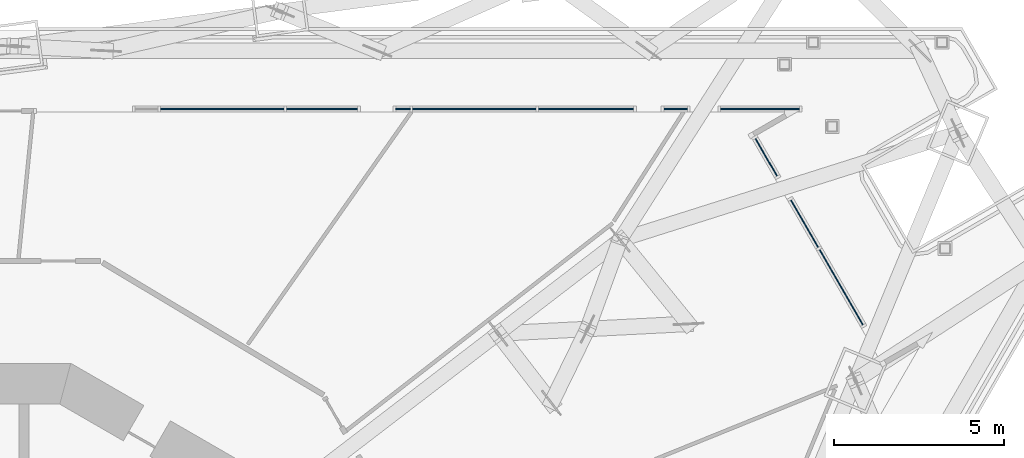
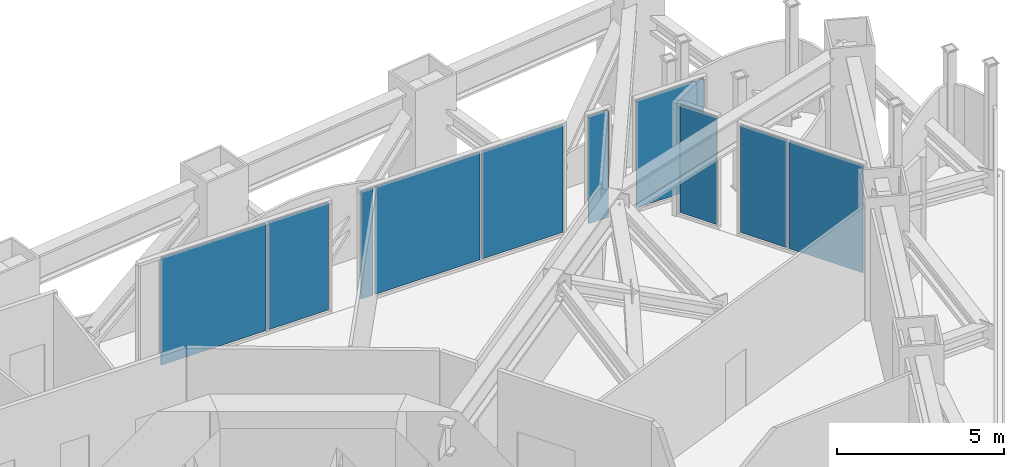
# One storey, part 12 of 28: 10 plates, 6 elements without a shape of their own.
"""IFC4 building model written with IfcOpenShell, lengths in metres."""

import ifcopenshell
import ifcopenshell.guid

model = None  # the IFC model being written
_history = None  # IfcOwnerHistory: only IFC2X3 demands one
_inside = {}  # id of a spatial element -> (the spatial element, [elements in it])
_under = {}  # id of a project, library or spatial element -> (it, [spatial elements below it])
_declared = {}  # id of a project -> (the project, [libraries it declares])
_typed = {}  # id of a type object -> (the type object, [elements of that type])
_made_of = {}  # id of a material, layer set ... -> (it, [elements and type objects made of it])


def new_model(schema):
    """Start an empty IFC model of exactly this schema.

    Asked for "IFC4X3", IfcOpenShell would pick the latest addendum, in which some entities
    have other attributes; the version numbers below select the first issue.
    IFC2X3 requires an IfcOwnerHistory on every rooted entity: one is made here for all.
    """
    global model, _history
    if schema == "IFC4X3":
        model = ifcopenshell.file(schema_version=(4, 3, 0, 0))
    else:
        model = ifcopenshell.file(schema=schema)
    _inside.clear()
    _under.clear()
    _declared.clear()
    _typed.clear()
    _made_of.clear()
    _history = None
    if model.schema == "IFC2X3":
        org = make("IfcOrganization", Name="unknown")
        user = make(
            "IfcPersonAndOrganization",
            ThePerson=make("IfcPerson", FamilyName="unknown"),
            TheOrganization=org,
        )
        app = make(
            "IfcApplication",
            ApplicationDeveloper=org,
            Version="unknown",
            ApplicationFullName="unknown",
            ApplicationIdentifier="unknown",
        )
        _history = make(
            "IfcOwnerHistory",
            OwningUser=user,
            OwningApplication=app,
            ChangeAction="ADDED",
            CreationDate=0,
        )
    return model


def make(cls, **values):
    """One entity of the class cls with the attributes given. An attribute that is None is left unset."""
    return model.create_entity(
        cls, **{name: value for name, value in values.items() if value is not None}
    )


def rooted(cls, **values):
    """An entity with a GlobalId (a new one), such as an element, a storey or a relation."""
    return make(cls, GlobalId=ifcopenshell.guid.new(), OwnerHistory=_history, **values)


def si_unit(unit_type, name, prefix=None):
    """IfcSIUnit, for example si_unit("LENGTHUNIT", "METRE", prefix="MILLI")."""
    return make("IfcSIUnit", UnitType=unit_type, Prefix=prefix, Name=name)


def assignment(units):
    """IfcUnitAssignment: the units of a project."""
    return None if units is None else make("IfcUnitAssignment", Units=units)


def point(xyz):
    """IfcCartesianPoint."""
    return None if xyz is None else make("IfcCartesianPoint", Coordinates=xyz)


def direction(xyz):
    """IfcDirection."""
    return None if xyz is None else make("IfcDirection", DirectionRatios=xyz)


def frame(location, z_axis=None, x_axis=None):
    """IfcAxis2Placement3D, a coordinate frame: its origin and axes. An axis left out is left unset."""
    return make(
        "IfcAxis2Placement3D",
        Location=point(location),
        Axis=direction(z_axis),
        RefDirection=direction(x_axis),
    )


def frame_2d(location, x_axis=None):
    """IfcAxis2Placement2D, a coordinate frame in the plane: its origin and x axis."""
    return make(
        "IfcAxis2Placement2D", Location=point(location), RefDirection=direction(x_axis)
    )


def origin():
    """The frame at (0, 0, 0) with its axes left unset."""
    return frame((0.0, 0.0, 0.0))


def origin_2d():
    """The frame at (0, 0) in the plane with its x axis left unset."""
    return frame_2d((0.0, 0.0))


def place(relative_to, where):
    """IfcLocalPlacement: puts the frame where relative to a parent placement (None: the world)."""
    return make(
        "IfcLocalPlacement", PlacementRelTo=relative_to, RelativePlacement=where
    )


def context(
    kind, dimensions, precision=None, world=None, true_north=None, identifier=None
):
    """IfcGeometricRepresentationContext, for example the 3D "Model" context."""
    return make(
        "IfcGeometricRepresentationContext",
        ContextIdentifier=identifier,
        ContextType=kind,
        CoordinateSpaceDimension=dimensions,
        Precision=precision,
        WorldCoordinateSystem=world,
        TrueNorth=true_north,
    )


def subcontext(parent, identifier, kind, view, scale=None):
    """IfcGeometricRepresentationSubContext, for example "Body" below "Model"."""
    return make(
        "IfcGeometricRepresentationSubContext",
        ContextIdentifier=identifier,
        ContextType=kind,
        ParentContext=parent,
        TargetScale=scale,
        TargetView=view,
    )


def project(units=None, contexts=None):
    """IfcProject with its units and contexts."""
    return rooted(
        "IfcProject",
        Name="project",
        RepresentationContexts=contexts,
        UnitsInContext=assignment(units),
    )


def spatial(cls, under=None, at=None, **own):
    """A site, building, storey or space (cls), placed at a placement, below another one or the project."""
    s = rooted(cls, ObjectPlacement=at, **own)
    if under is not None:
        _under.setdefault(under.id(), (under, []))[1].append(s)
    return s


def profile(cls, at=None, kind="AREA", **sizes):
    """A parametric profile (cls). Its sizes go by their IFC names, for example OverallWidth=200.0."""
    return make(cls, ProfileType=kind, Position=at, **sizes)


def rectangle(**sizes):
    """IfcRectangleProfileDef."""
    return profile("IfcRectangleProfileDef", **sizes)


def extrude(swept, where, along, depth):
    """IfcExtrudedAreaSolid: the profile swept, set in the frame where, extruded along a direction by depth."""
    return make(
        "IfcExtrudedAreaSolid",
        SweptArea=swept,
        Position=where,
        ExtrudedDirection=direction(along),
        Depth=depth,
    )


def shape(context_of_items, identifier, shape_type, items):
    """IfcShapeRepresentation: the items that make up one representation, for example the "Body"."""
    return make(
        "IfcShapeRepresentation",
        ContextOfItems=context_of_items,
        RepresentationIdentifier=identifier,
        RepresentationType=shape_type,
        Items=items,
    )


def material(Name=None, Category=None):
    """IfcMaterial."""
    return make("IfcMaterial", Name=Name, Category=Category)


def layer(
    of_material, thickness, ventilated=None, Name=None, Category=None, Priority=None
):
    """IfcMaterialLayer: one layer of a wall or slab, of a material (None: an air gap)."""
    return make(
        "IfcMaterialLayer",
        Material=of_material,
        LayerThickness=thickness,
        IsVentilated=ventilated,
        Name=Name,
        Category=Category,
        Priority=Priority,
    )


def layer_set(layers, Name=None):
    """IfcMaterialLayerSet."""
    return make("IfcMaterialLayerSet", MaterialLayers=layers, LayerSetName=Name)


def made_of(thing, what):
    """Note that an element or type object is made of a material, layer set ...; save() writes the relation."""
    if what is not None:
        _made_of.setdefault(what.id(), (what, []))[1].append(thing)
    return thing


def type_object(cls, material=None, **own):
    """A type object (cls), such as IfcWallType, which elements share."""
    return made_of(rooted(cls, **own), material)


def element(
    cls,
    number,
    at=None,
    inside=None,
    cuts=None,
    type_object=None,
    material=None,
    context=None,
    identifier="Body",
    shape_type=None,
    held_by="IfcProductDefinitionShape",
    body=None,
    shapes=None,
    **own,
):
    """One element of the class cls, such as IfcWall. Its Tag is "e" and its number.

    at: its placement. inside: the storey or other place that contains it. cuts: it is an
    opening in that element (IfcRelVoidsElement). A single representation is given by context,
    identifier, shape_type and body (its items); several are given by shapes. held_by: the class
    of the entity that holds the representations. save() writes the other relations.
    """
    e = rooted(cls, Tag="e%d" % number, ObjectPlacement=at, **own)
    if body is not None:
        shapes = [shape(context, identifier, shape_type, body)]
    if shapes is not None:
        e.Representation = make(held_by, Representations=shapes)
    if inside is not None:
        _inside.setdefault(inside.id(), (inside, []))[1].append(e)
    if cuts is not None:
        rooted(
            "IfcRelVoidsElement", RelatingBuildingElement=cuts, RelatedOpeningElement=e
        )
    if type_object is not None:
        _typed.setdefault(type_object.id(), (type_object, []))[1].append(e)
    return made_of(e, material)


def aggregate(whole, parts):
    """IfcRelAggregates: a whole, such as a stair, and the parts it consists of."""
    return rooted("IfcRelAggregates", RelatingObject=whole, RelatedObjects=parts)


def save(model, path):
    """Write the relations noted so far, then the file.

    IfcRelAggregates (storeys below a building ...), IfcRelContainedInSpatialStructure (elements
    in a storey), IfcRelDefinesByType, IfcRelAssociatesMaterial and IfcRelDeclares: one each for
    every whole, place, type object, material and project.
    """
    for whole, parts in _under.values():
        aggregate(whole, parts)
    for where, things in _inside.values():
        rooted(
            "IfcRelContainedInSpatialStructure",
            RelatedElements=things,
            RelatingStructure=where,
        )
    for kind, things in _typed.values():
        rooted("IfcRelDefinesByType", RelatedObjects=things, RelatingType=kind)
    for what, things in _made_of.values():
        rooted("IfcRelAssociatesMaterial", RelatedObjects=things, RelatingMaterial=what)
    for by, libraries in _declared.values():
        rooted("IfcRelDeclares", RelatingContext=by, RelatedDefinitions=libraries)
    model.write(path)


model = new_model("IFC4")

# Units and contexts
model_context = context("Model", 3, precision=1e-05, world=origin(), true_north=direction((0.0, 1.0)))
body_context = subcontext(model_context, "Body", "Model", "MODEL_VIEW")
ifc_project = project(units=[si_unit("LENGTHUNIT", "METRE"), si_unit("AREAUNIT", "SQUARE_METRE"), si_unit("VOLUMEUNIT", "CUBIC_METRE"), si_unit("PLANEANGLEUNIT", "RADIAN"), si_unit("MASSUNIT", "GRAM", prefix="KILO")], contexts=[model_context])

# Site, building, storey
site_placement = place(None, origin())
site = spatial("IfcSite", under=ifc_project, at=site_placement, CompositionType="ELEMENT")
building_placement = place(site_placement, origin())
building = spatial("IfcBuilding", under=site, at=building_placement, Name="Trine Commons Tower", CompositionType="ELEMENT")
storey_placement = place(building_placement, frame((0.0, 0.0, 45.89990234375)))
storey = spatial("IfcBuildingStorey", under=building, at=storey_placement, Name="L10", CompositionType="ELEMENT", Elevation=45.89990234375)

# Curtain wall, plates
ifc_material_1 = material(Name="Sky lounge glazing: anodised aluminium frame with low-emissivity double glazed unit, solar control", Category="aluminium")
ifc_layer_1 = layer(ifc_material_1, 0.179931640625)
ifc_layer_set_1 = layer_set([ifc_layer_1], Name="Sky lounge glazing: anodised aluminium frame with low-emissivity double glazed unit, solar control")
curtain_wall_type = type_object("IfcCurtainWallType", Name="Sky lounge glazing curtain wall CW5", PredefinedType="NOTDEFINED", material=ifc_layer_set_1)
curtain_wall_1_placement = place(storey_placement, origin())
curtain_wall_1 = element("IfcCurtainWall", 1, at=curtain_wall_1_placement, inside=storey, type_object=curtain_wall_type, Name="Sky lounge glazing L10 F1.1", PredefinedType="NOTDEFINED")
ifc_material_2 = material(Name="Low-emissivity double glazed unit, solar control")
ifc_layer_2 = layer(ifc_material_2, 0.031982421875)
ifc_layer_set_2 = layer_set([ifc_layer_2], Name="Low-emissivity double glazed unit, solar control")
plate_type = type_object("IfcPlateType", Name="Double glazed unit 32 mm (sky floors)", PredefinedType="CURTAIN_PANEL", material=ifc_layer_set_2)
plate_1_placement = place(storey_placement, frame((87.397705078125, 80.974609375, 0.1103515625), z_axis=(0.0, 0.0, 1.0), x_axis=(1.0, 0.0, 0.0)))
plate_1 = element("IfcPlate", 2, at=plate_1_placement, type_object=plate_type, Name="CW5 panel 2.1", PredefinedType="CURTAIN_PANEL", context=body_context, shape_type="SweptSolid", body=[
    extrude(rectangle(XDim=3.623779296875, YDim=0.031982421875, at=origin_2d()), origin(), (0.0, 0.0, 1.0), 3.929931640625),
])
plate_2_placement = place(storey_placement, frame((90.32861328125, 80.974609375, 0.1103515625), z_axis=(0.0, 0.0, 1.0), x_axis=(1.0, 0.0, 0.0)))
plate_2 = element("IfcPlate", 3, at=plate_2_placement, type_object=plate_type, Name="CW5 panel 3.1", PredefinedType="CURTAIN_PANEL", context=body_context, shape_type="SweptSolid", body=[
    extrude(rectangle(XDim=2.088134765625, YDim=0.031982421875, at=origin_2d()), origin(), (0.0, 0.0, 1.0), 3.929931640625),
])
aggregate(curtain_wall_1, [plate_1, plate_2])

curtain_wall_2_placement = place(storey_placement, origin())
curtain_wall_2 = element("IfcCurtainWall", 4, at=curtain_wall_2_placement, inside=storey, type_object=curtain_wall_type, Name="Sky lounge glazing L10 F1.2", PredefinedType="NOTDEFINED")
plate_3_placement = place(storey_placement, frame((92.698486328125, 80.974609375, 0.1103515625), z_axis=(0.0, 0.0, 1.0), x_axis=(1.0, 0.0, 0.0)))
plate_3 = element("IfcPlate", 5, at=plate_3_placement, type_object=plate_type, Name="CW5 panel 1.1", PredefinedType="CURTAIN_PANEL", context=body_context, shape_type="SweptSolid", body=[
    extrude(rectangle(XDim=0.419921875, YDim=0.031982421875, at=origin_2d()), origin(), (0.0, 0.0, 1.0), 3.929931640625),
])
plate_4_placement = place(storey_placement, frame((94.79541015625, 80.974609375, 0.1103515625), z_axis=(0.0, 0.0, 1.0), x_axis=(1.0, 0.0, 0.0)))
plate_4 = element("IfcPlate", 6, at=plate_4_placement, type_object=plate_type, Name="CW5 panel 2.1", PredefinedType="CURTAIN_PANEL", context=body_context, shape_type="SweptSolid", body=[
    extrude(rectangle(XDim=3.623779296875, YDim=0.031982421875, at=origin_2d()), origin(), (0.0, 0.0, 1.0), 3.929931640625),
])
plate_5_placement = place(storey_placement, frame((98.077392578125, 80.974609375, 0.1103515625), z_axis=(0.0, 0.0, 1.0), x_axis=(1.0, 0.0, 0.0)))
plate_5 = element("IfcPlate", 7, at=plate_5_placement, type_object=plate_type, Name="CW5 panel 3.1", PredefinedType="CURTAIN_PANEL", context=body_context, shape_type="SweptSolid", body=[
    extrude(rectangle(XDim=2.790283203125, YDim=0.031982421875, at=origin_2d()), origin(), (0.0, 0.0, 1.0), 3.929931640625),
])
aggregate(curtain_wall_2, [plate_3, plate_4, plate_5])

# Curtain wall, plate
curtain_wall_3_placement = place(storey_placement, origin())
curtain_wall_3 = element("IfcCurtainWall", 8, at=curtain_wall_3_placement, inside=storey, type_object=curtain_wall_type, Name="Sky lounge glazing L10 F1.3", PredefinedType="NOTDEFINED")
plate_6_placement = place(storey_placement, frame((100.699462890625, 80.974609375, 0.1103515625), z_axis=(0.0, 0.0, 1.0), x_axis=(1.0, 0.0, 0.0)))
plate_6 = element("IfcPlate", 9, at=plate_6_placement, type_object=plate_type, Name="CW5 panel 1.1", PredefinedType="CURTAIN_PANEL", context=body_context, shape_type="SweptSolid", body=[
    extrude(rectangle(XDim=0.689453125, YDim=0.031982421875, at=origin_2d()), origin(), (0.0, 0.0, 1.0), 3.929931640625),
])
aggregate(curtain_wall_3, [plate_6])

curtain_wall_4_placement = place(storey_placement, origin())
curtain_wall_4 = element("IfcCurtainWall", 10, at=curtain_wall_4_placement, inside=storey, type_object=curtain_wall_type, Name="Sky lounge glazing L10 F1.4", PredefinedType="NOTDEFINED")
plate_7_placement = place(storey_placement, frame((103.1796875, 80.974609375, 0.1103515625), z_axis=(0.0, 0.0, 1.0), x_axis=(1.0, 0.0, 0.0)))
plate_7 = element("IfcPlate", 11, at=plate_7_placement, type_object=plate_type, Name="CW5 panel 1.1", PredefinedType="CURTAIN_PANEL", context=body_context, shape_type="SweptSolid", body=[
    extrude(rectangle(XDim=2.323486328125, YDim=0.031982421875, at=origin_2d()), origin(), (0.0, 0.0, 1.0), 3.929931640625),
])
aggregate(curtain_wall_4, [plate_7])

curtain_wall_5_placement = place(storey_placement, origin())
curtain_wall_5 = element("IfcCurtainWall", 12, at=curtain_wall_5_placement, inside=storey, type_object=curtain_wall_type, Name="Sky lounge glazing L10 P2.1", PredefinedType="NOTDEFINED")
plate_8_placement = place(storey_placement, frame((103.361083984375, 79.5556640625, 0.1103515625), z_axis=(0.0, 0.0, 1.0), x_axis=(0.5, -0.866025403784, 0.0)))
plate_8 = element("IfcPlate", 13, at=plate_8_placement, type_object=plate_type, Name="CW5 panel 1.1", PredefinedType="CURTAIN_PANEL", context=body_context, shape_type="SweptSolid", body=[
    extrude(rectangle(XDim=1.269775390625, YDim=0.031982421875, at=origin_2d()), origin(), (0.0, 0.0, 1.0), 3.929931640625),
])
aggregate(curtain_wall_5, [plate_8])

# Curtain wall, plates
curtain_wall_6_placement = place(storey_placement, origin())
curtain_wall_6 = element("IfcCurtainWall", 14, at=curtain_wall_6_placement, inside=storey, type_object=curtain_wall_type, Name="Sky lounge glazing L10 P2.2", PredefinedType="NOTDEFINED")
plate_9_placement = place(storey_placement, frame((104.48583984375, 77.60791015625, 0.1103515625), z_axis=(0.0, 0.0, 1.0), x_axis=(0.5, -0.866025403784, 0.0)))
plate_9 = element("IfcPlate", 15, at=plate_9_placement, type_object=plate_type, Name="CW5 panel 1.1", PredefinedType="CURTAIN_PANEL", context=body_context, shape_type="SweptSolid", body=[
    extrude(rectangle(XDim=1.606689453125, YDim=0.031982421875, at=origin_2d()), origin(), (0.0, 0.0, 1.0), 3.929931640625),
])
plate_10_placement = place(storey_placement, frame((105.5625, 75.7431640625, 0.1103515625), z_axis=(0.0, 0.0, 1.0), x_axis=(0.5, -0.866025403784, 0.0)))
plate_10 = element("IfcPlate", 16, at=plate_10_placement, type_object=plate_type, Name="CW5 panel 2.1", PredefinedType="CURTAIN_PANEL", context=body_context, shape_type="SweptSolid", body=[
    extrude(rectangle(XDim=2.549560546875, YDim=0.031982421875, at=origin_2d()), origin(), (0.0, 0.0, 1.0), 3.929931640625),
])
aggregate(curtain_wall_6, [plate_9, plate_10])

save(model, "model.ifc")
